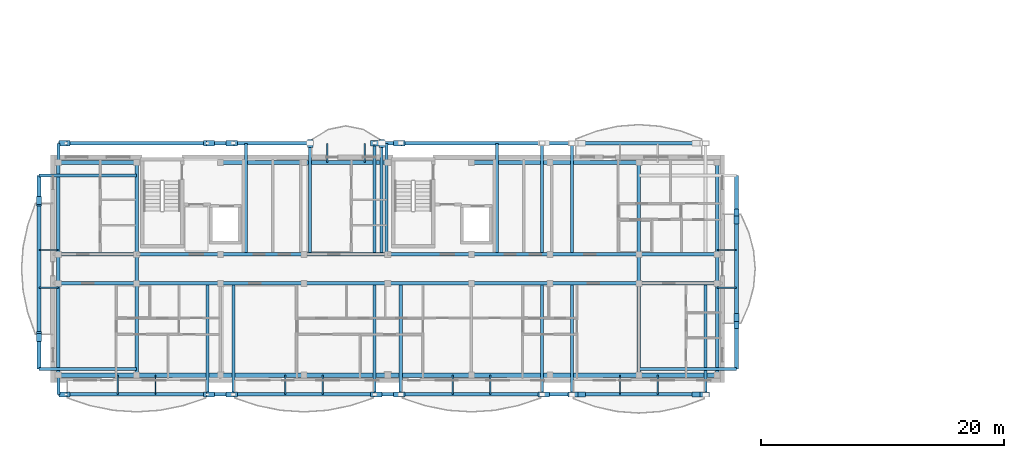
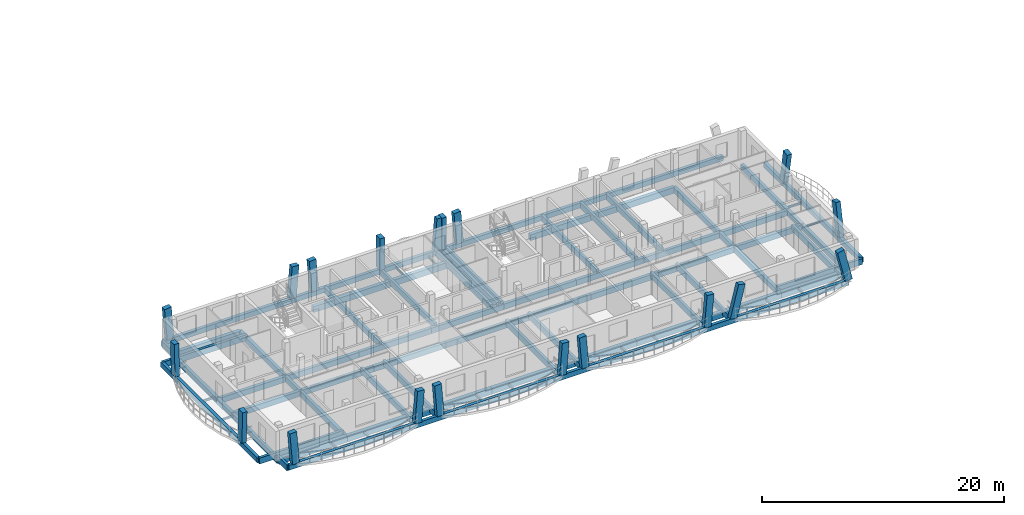
# One storey, part 3 of 48: 79 beams, 19 members.
"""IFC4 building model written with IfcOpenShell, lengths in metres."""

from ifc_helpers import new_model, si_unit, direction, frame, origin, origin_2d, place, context, subcontext, project, spatial, rectangle, i_section, extrude, material, material_profile, profile_set, type_object, element, save


model = new_model("IFC4")

# Units and contexts
model_context = context("Model", 3, precision=1e-05, world=origin(), true_north=direction((0.0, 1.0)))
body_context = subcontext(model_context, "Body", "Model", "MODEL_VIEW")
ifc_project = project(units=[si_unit("LENGTHUNIT", "METRE"), si_unit("AREAUNIT", "SQUARE_METRE"), si_unit("VOLUMEUNIT", "CUBIC_METRE"), si_unit("PLANEANGLEUNIT", "RADIAN"), si_unit("MASSUNIT", "GRAM", prefix="KILO")], contexts=[model_context])

# Site, building, storey
site_placement = place(None, origin())
site = spatial("IfcSite", under=ifc_project, at=site_placement, CompositionType="ELEMENT")
building_placement = place(site_placement, origin())
building = spatial("IfcBuilding", under=site, at=building_placement, Name="Zavelmont Quarter", CompositionType="ELEMENT")
storey_placement = place(building_placement, frame((0.0, 0.0, 17.60009765625)))
storey = spatial("IfcBuildingStorey", under=building, at=storey_placement, Name="L05", CompositionType="ELEMENT", Elevation=17.60009765625)

# Beams
ifc_material_1 = material(Name="Concrete C35/45", Category="concrete")
ifc_material_profile_1 = material_profile(ifc_material_1, rectangle(XDim=0.35009765625, YDim=0.60009765625, at=origin_2d()), Name="RC350X600")
ifc_profile_set_1 = profile_set([ifc_material_profile_1], Name="Concrete C35/45")
beam_type_1 = type_object("IfcBeamType", Name="BM01", PredefinedType="SPANDREL", material=ifc_profile_set_1)
beam_1_placement = place(storey_placement, frame((0.43994140625, 0.43994140625, -0.56005859375), z_axis=(1.0, 0.0, 0.0), x_axis=(0.0, 1.0, 0.0)))
element("IfcBeam", 1, at=beam_1_placement, inside=storey, type_object=beam_type_1, Name="L05 beam BM01 1/A to 2/A", PredefinedType="SPANDREL", context=body_context, shape_type="SweptSolid", body=[
    extrude(rectangle(XDim=0.35009765625, YDim=0.60009765625, at=origin_2d()), origin(), (0.0, 0.0, 1.0), 6.4599609375),
])
beam_2_placement = place(storey_placement, frame((6.89990234375, 0.43994140625, -0.56005859375), z_axis=(1.0, 0.0, 0.0), x_axis=(0.0, 1.0, 0.0)))
element("IfcBeam", 2, at=beam_2_placement, inside=storey, type_object=beam_type_1, Name="L05 beam BM01 2/A to 3/A", PredefinedType="SPANDREL", context=body_context, shape_type="SweptSolid", body=[
    extrude(rectangle(XDim=0.35009765625, YDim=0.60009765625, at=origin_2d()), origin(), (0.0, 0.0, 1.0), 6.900146484375),
])
beam_3_placement = place(storey_placement, frame((13.800048828125, 0.43994140625, -0.56005859375), z_axis=(1.0, 0.0, 0.0), x_axis=(0.0, 1.0, 0.0)))
element("IfcBeam", 3, at=beam_3_placement, inside=storey, type_object=beam_type_1, Name="L05 beam BM01 3/A to 4/A", PredefinedType="SPANDREL", context=body_context, shape_type="SweptSolid", body=[
    extrude(rectangle(XDim=0.35009765625, YDim=0.60009765625, at=origin_2d()), origin(), (0.0, 0.0, 1.0), 6.89990234375),
])
beam_4_placement = place(storey_placement, frame((20.699951171875, 0.43994140625, -0.56005859375), z_axis=(1.0, 0.0, 0.0), x_axis=(0.0, 1.0, 0.0)))
element("IfcBeam", 4, at=beam_4_placement, inside=storey, type_object=beam_type_1, Name="L05 beam BM01 4/A to 5/A", PredefinedType="SPANDREL", context=body_context, shape_type="SweptSolid", body=[
    extrude(rectangle(XDim=0.35009765625, YDim=0.60009765625, at=origin_2d()), origin(), (0.0, 0.0, 1.0), 6.900146484375),
])
beam_5_placement = place(storey_placement, frame((27.60009765625, 0.43994140625, -0.56005859375), z_axis=(1.0, 0.0, 0.0), x_axis=(0.0, 1.0, 0.0)))
element("IfcBeam", 5, at=beam_5_placement, inside=storey, type_object=beam_type_1, Name="L05 beam BM01 5/A to 6/A", PredefinedType="SPANDREL", context=body_context, shape_type="SweptSolid", body=[
    extrude(rectangle(XDim=0.35009765625, YDim=0.60009765625, at=origin_2d()), origin(), (0.0, 0.0, 1.0), 6.89990234375),
])
beam_6_placement = place(storey_placement, frame((34.5, 0.43994140625, -0.56005859375), z_axis=(1.0, 0.0, 0.0), x_axis=(0.0, 1.0, 0.0)))
element("IfcBeam", 6, at=beam_6_placement, inside=storey, type_object=beam_type_1, Name="L05 beam BM01 6/A to 7/A", PredefinedType="SPANDREL", context=body_context, shape_type="SweptSolid", body=[
    extrude(rectangle(XDim=0.35009765625, YDim=0.60009765625, at=origin_2d()), origin(), (0.0, 0.0, 1.0), 6.4599609375),
])
beam_7_placement = place(storey_placement, frame((40.9599609375, 0.43994140625, -0.56005859375), z_axis=(1.0, 0.0, 0.0), x_axis=(0.0, 1.0, 0.0)))
element("IfcBeam", 7, at=beam_7_placement, inside=storey, type_object=beam_type_1, Name="L05 beam BM01 7/A to 8/A", PredefinedType="SPANDREL", context=body_context, shape_type="SweptSolid", body=[
    extrude(rectangle(XDim=0.35009765625, YDim=0.60009765625, at=origin_2d()), origin(), (0.0, 0.0, 1.0), 7.340087890625),
])
for number, where, z_axis, x_axis, name in (
    (8, (48.300048828125, 0.43994140625, -0.56005859375), (1.0, 0.0, 0.0), (0.0, 1.0, 0.0), "L05 beam BM01 8/A to 9/A"),
    (9, (0.43994140625, 17.9599609375, -0.56005859375), (1.0, 0.0, 0.0), (0.0, 1.0, 0.0), "L05 beam BM01 1/D to 2/D"),
):
    element("IfcBeam", number, at=place(storey_placement, frame(where, z_axis=z_axis, x_axis=x_axis)), inside=storey, type_object=beam_type_1, Name=name, PredefinedType="SPANDREL", context=body_context, shape_type="SweptSolid", body=[
        extrude(rectangle(XDim=0.35009765625, YDim=0.60009765625, at=origin_2d()), origin(), (0.0, 0.0, 1.0), 6.4599609375),
    ])
beam_8_placement = place(storey_placement, frame((13.800048828125, 17.9599609375, -0.56005859375), z_axis=(1.0, 0.0, 0.0), x_axis=(0.0, 1.0, 0.0)))
element("IfcBeam", 10, at=beam_8_placement, inside=storey, type_object=beam_type_1, Name="L05 beam BM01 3/D to 4/D", PredefinedType="SPANDREL", context=body_context, shape_type="SweptSolid", body=[
    extrude(rectangle(XDim=0.35009765625, YDim=0.60009765625, at=origin_2d()), origin(), (0.0, 0.0, 1.0), 6.89990234375),
])
beam_9_placement = place(storey_placement, frame((20.699951171875, 17.9599609375, -0.56005859375), z_axis=(1.0, 0.0, 0.0), x_axis=(0.0, 1.0, 0.0)))
element("IfcBeam", 11, at=beam_9_placement, inside=storey, type_object=beam_type_1, Name="L05 beam BM01 4/D to 5/D", PredefinedType="SPANDREL", context=body_context, shape_type="SweptSolid", body=[
    extrude(rectangle(XDim=0.35009765625, YDim=0.60009765625, at=origin_2d()), origin(), (0.0, 0.0, 1.0), 6.900146484375),
])
beam_10_placement = place(storey_placement, frame((34.5, 17.9599609375, -0.56005859375), z_axis=(1.0, 0.0, 0.0), x_axis=(0.0, 1.0, 0.0)))
element("IfcBeam", 12, at=beam_10_placement, inside=storey, type_object=beam_type_1, Name="L05 beam BM01 6/D to 7/D", PredefinedType="SPANDREL", context=body_context, shape_type="SweptSolid", body=[
    extrude(rectangle(XDim=0.35009765625, YDim=0.60009765625, at=origin_2d()), origin(), (0.0, 0.0, 1.0), 6.4599609375),
])
beam_11_placement = place(storey_placement, frame((40.9599609375, 17.9599609375, -0.56005859375), z_axis=(1.0, 0.0, 0.0), x_axis=(0.0, 1.0, 0.0)))
element("IfcBeam", 13, at=beam_11_placement, inside=storey, type_object=beam_type_1, Name="L05 beam BM01 7/D to 8/D", PredefinedType="SPANDREL", context=body_context, shape_type="SweptSolid", body=[
    extrude(rectangle(XDim=0.35009765625, YDim=0.60009765625, at=origin_2d()), origin(), (0.0, 0.0, 1.0), 7.340087890625),
])
ifc_material_profile_2 = material_profile(ifc_material_1, rectangle(XDim=0.300048828125, YDim=0.550048828125, at=origin_2d()), Name="RC300X550")
ifc_profile_set_2 = profile_set([ifc_material_profile_2], Name="Concrete C35/45")
beam_type_2 = type_object("IfcBeamType", Name="BM02", PredefinedType="SPANDREL", material=ifc_profile_set_2)
beam_12_placement = place(storey_placement, frame((0.43994140625, 8.0, -0.53515625), z_axis=(1.0, 0.0, 0.0), x_axis=(0.0, 1.0, 0.0)))
element("IfcBeam", 14, at=beam_12_placement, inside=storey, type_object=beam_type_2, Name="L05 beam BM02 1/B to 2/B", PredefinedType="SPANDREL", context=body_context, shape_type="SweptSolid", body=[
    extrude(rectangle(XDim=0.300048828125, YDim=0.550048828125, at=origin_2d()), origin(), (0.0, 0.0, 1.0), 6.4599609375),
])
beam_13_placement = place(storey_placement, frame((6.89990234375, 8.0, -0.53515625), z_axis=(1.0, 0.0, 0.0), x_axis=(0.0, 1.0, 0.0)))
element("IfcBeam", 15, at=beam_13_placement, inside=storey, type_object=beam_type_2, Name="L05 beam BM02 2/B to 3/B", PredefinedType="SPANDREL", context=body_context, shape_type="SweptSolid", body=[
    extrude(rectangle(XDim=0.300048828125, YDim=0.550048828125, at=origin_2d()), origin(), (0.0, 0.0, 1.0), 6.900146484375),
])
beam_14_placement = place(storey_placement, frame((13.800048828125, 8.0, -0.53515625), z_axis=(1.0, 0.0, 0.0), x_axis=(0.0, 1.0, 0.0)))
element("IfcBeam", 16, at=beam_14_placement, inside=storey, type_object=beam_type_2, Name="L05 beam BM02 3/B to 4/B", PredefinedType="SPANDREL", context=body_context, shape_type="SweptSolid", body=[
    extrude(rectangle(XDim=0.300048828125, YDim=0.550048828125, at=origin_2d()), origin(), (0.0, 0.0, 1.0), 6.89990234375),
])
beam_15_placement = place(storey_placement, frame((20.699951171875, 8.0, -0.53515625), z_axis=(1.0, 0.0, 0.0), x_axis=(0.0, 1.0, 0.0)))
element("IfcBeam", 17, at=beam_15_placement, inside=storey, type_object=beam_type_2, Name="L05 beam BM02 4/B to 5/B", PredefinedType="SPANDREL", context=body_context, shape_type="SweptSolid", body=[
    extrude(rectangle(XDim=0.300048828125, YDim=0.550048828125, at=origin_2d()), origin(), (0.0, 0.0, 1.0), 6.900146484375),
])
beam_16_placement = place(storey_placement, frame((27.60009765625, 8.0, -0.53515625), z_axis=(1.0, 0.0, 0.0), x_axis=(0.0, 1.0, 0.0)))
element("IfcBeam", 18, at=beam_16_placement, inside=storey, type_object=beam_type_2, Name="L05 beam BM02 5/B to 6/B", PredefinedType="SPANDREL", context=body_context, shape_type="SweptSolid", body=[
    extrude(rectangle(XDim=0.300048828125, YDim=0.550048828125, at=origin_2d()), origin(), (0.0, 0.0, 1.0), 6.89990234375),
])
beam_17_placement = place(storey_placement, frame((34.5, 8.0, -0.53515625), z_axis=(1.0, 0.0, 0.0), x_axis=(0.0, 1.0, 0.0)))
element("IfcBeam", 19, at=beam_17_placement, inside=storey, type_object=beam_type_2, Name="L05 beam BM02 6/B to 7/B", PredefinedType="SPANDREL", context=body_context, shape_type="SweptSolid", body=[
    extrude(rectangle(XDim=0.300048828125, YDim=0.550048828125, at=origin_2d()), origin(), (0.0, 0.0, 1.0), 6.4599609375),
])
beam_18_placement = place(storey_placement, frame((40.9599609375, 8.0, -0.53515625), z_axis=(1.0, 0.0, 0.0), x_axis=(0.0, 1.0, 0.0)))
element("IfcBeam", 20, at=beam_18_placement, inside=storey, type_object=beam_type_2, Name="L05 beam BM02 7/B to 8/B", PredefinedType="SPANDREL", context=body_context, shape_type="SweptSolid", body=[
    extrude(rectangle(XDim=0.300048828125, YDim=0.550048828125, at=origin_2d()), origin(), (0.0, 0.0, 1.0), 7.340087890625),
])
for number, where, z_axis, x_axis, name in (
    (21, (48.300048828125, 8.0, -0.53515625), (1.0, 0.0, 0.0), (0.0, 1.0, 0.0), "L05 beam BM02 8/B to 9/B"),
    (22, (0.43994140625, 10.39990234375, -0.53515625), (1.0, 0.0, 0.0), (0.0, 1.0, 0.0), "L05 beam BM02 1/C to 2/C"),
):
    element("IfcBeam", number, at=place(storey_placement, frame(where, z_axis=z_axis, x_axis=x_axis)), inside=storey, type_object=beam_type_2, Name=name, PredefinedType="SPANDREL", context=body_context, shape_type="SweptSolid", body=[
        extrude(rectangle(XDim=0.300048828125, YDim=0.550048828125, at=origin_2d()), origin(), (0.0, 0.0, 1.0), 6.4599609375),
    ])
beam_19_placement = place(storey_placement, frame((6.89990234375, 10.39990234375, -0.53515625), z_axis=(1.0, 0.0, 0.0), x_axis=(0.0, 1.0, 0.0)))
element("IfcBeam", 23, at=beam_19_placement, inside=storey, type_object=beam_type_2, Name="L05 beam BM02 2/C to 3/C", PredefinedType="SPANDREL", context=body_context, shape_type="SweptSolid", body=[
    extrude(rectangle(XDim=0.300048828125, YDim=0.550048828125, at=origin_2d()), origin(), (0.0, 0.0, 1.0), 6.900146484375),
])
beam_20_placement = place(storey_placement, frame((13.800048828125, 10.39990234375, -0.53515625), z_axis=(1.0, 0.0, 0.0), x_axis=(0.0, 1.0, 0.0)))
element("IfcBeam", 24, at=beam_20_placement, inside=storey, type_object=beam_type_2, Name="L05 beam BM02 3/C to 4/C", PredefinedType="SPANDREL", context=body_context, shape_type="SweptSolid", body=[
    extrude(rectangle(XDim=0.300048828125, YDim=0.550048828125, at=origin_2d()), origin(), (0.0, 0.0, 1.0), 6.89990234375),
])
beam_21_placement = place(storey_placement, frame((20.699951171875, 10.39990234375, -0.53515625), z_axis=(1.0, 0.0, 0.0), x_axis=(0.0, 1.0, 0.0)))
element("IfcBeam", 25, at=beam_21_placement, inside=storey, type_object=beam_type_2, Name="L05 beam BM02 4/C to 5/C", PredefinedType="SPANDREL", context=body_context, shape_type="SweptSolid", body=[
    extrude(rectangle(XDim=0.300048828125, YDim=0.550048828125, at=origin_2d()), origin(), (0.0, 0.0, 1.0), 6.900146484375),
])
beam_22_placement = place(storey_placement, frame((27.60009765625, 10.39990234375, -0.53515625), z_axis=(1.0, 0.0, 0.0), x_axis=(0.0, 1.0, 0.0)))
element("IfcBeam", 26, at=beam_22_placement, inside=storey, type_object=beam_type_2, Name="L05 beam BM02 5/C to 6/C", PredefinedType="SPANDREL", context=body_context, shape_type="SweptSolid", body=[
    extrude(rectangle(XDim=0.300048828125, YDim=0.550048828125, at=origin_2d()), origin(), (0.0, 0.0, 1.0), 6.89990234375),
])
beam_23_placement = place(storey_placement, frame((34.5, 10.39990234375, -0.53515625), z_axis=(1.0, 0.0, 0.0), x_axis=(0.0, 1.0, 0.0)))
element("IfcBeam", 27, at=beam_23_placement, inside=storey, type_object=beam_type_2, Name="L05 beam BM02 6/C to 7/C", PredefinedType="SPANDREL", context=body_context, shape_type="SweptSolid", body=[
    extrude(rectangle(XDim=0.300048828125, YDim=0.550048828125, at=origin_2d()), origin(), (0.0, 0.0, 1.0), 6.4599609375),
])
beam_24_placement = place(storey_placement, frame((40.9599609375, 10.39990234375, -0.53515625), z_axis=(1.0, 0.0, 0.0), x_axis=(0.0, 1.0, 0.0)))
element("IfcBeam", 28, at=beam_24_placement, inside=storey, type_object=beam_type_2, Name="L05 beam BM02 7/C to 8/C", PredefinedType="SPANDREL", context=body_context, shape_type="SweptSolid", body=[
    extrude(rectangle(XDim=0.300048828125, YDim=0.550048828125, at=origin_2d()), origin(), (0.0, 0.0, 1.0), 7.340087890625),
])
beam_25_placement = place(storey_placement, frame((48.300048828125, 10.39990234375, -0.53515625), z_axis=(1.0, 0.0, 0.0), x_axis=(0.0, 1.0, 0.0)))
element("IfcBeam", 29, at=beam_25_placement, inside=storey, type_object=beam_type_2, Name="L05 beam BM02 8/C to 9/C", PredefinedType="SPANDREL", context=body_context, shape_type="SweptSolid", body=[
    extrude(rectangle(XDim=0.300048828125, YDim=0.550048828125, at=origin_2d()), origin(), (0.0, 0.0, 1.0), 6.4599609375),
])
beam_26_placement = place(storey_placement, frame((0.43994140625, 0.43994140625, -0.53515625), z_axis=(0.0, 1.0, 0.0), x_axis=(-1.0, 0.0, 0.0)))
element("IfcBeam", 30, at=beam_26_placement, inside=storey, type_object=beam_type_2, Name="L05 beam BM02 1/A to 1/B", PredefinedType="SPANDREL", context=body_context, shape_type="SweptSolid", body=[
    extrude(rectangle(XDim=0.300048828125, YDim=0.550048828125, at=origin_2d()), origin(), (0.0, 0.0, 1.0), 7.56005859375),
])
beam_27_placement = place(storey_placement, frame((0.43994140625, 8.0, -0.53515625), z_axis=(0.0, 1.0, 0.0), x_axis=(-1.0, 0.0, 0.0)))
element("IfcBeam", 31, at=beam_27_placement, inside=storey, type_object=beam_type_2, Name="L05 beam BM02 1/B to 1/C", PredefinedType="SPANDREL", context=body_context, shape_type="SweptSolid", body=[
    extrude(rectangle(XDim=0.300048828125, YDim=0.550048828125, at=origin_2d()), origin(), (0.0, 0.0, 1.0), 2.39990234375),
])
for number, where, z_axis, x_axis, name in (
    (32, (0.43994140625, 10.39990234375, -0.53515625), (0.0, 1.0, 0.0), (-1.0, 0.0, 0.0), "L05 beam BM02 1/C to 1/D"),
    (33, (6.89990234375, 0.43994140625, -0.53515625), (0.0, 1.0, 0.0), (-1.0, 0.0, 0.0), "L05 beam BM02 2/A to 2/B"),
):
    element("IfcBeam", number, at=place(storey_placement, frame(where, z_axis=z_axis, x_axis=x_axis)), inside=storey, type_object=beam_type_2, Name=name, PredefinedType="SPANDREL", context=body_context, shape_type="SweptSolid", body=[
        extrude(rectangle(XDim=0.300048828125, YDim=0.550048828125, at=origin_2d()), origin(), (0.0, 0.0, 1.0), 7.56005859375),
    ])
beam_28_placement = place(storey_placement, frame((6.89990234375, 8.0, -0.53515625), z_axis=(0.0, 1.0, 0.0), x_axis=(-1.0, 0.0, 0.0)))
element("IfcBeam", 34, at=beam_28_placement, inside=storey, type_object=beam_type_2, Name="L05 beam BM02 2/B to 2/C", PredefinedType="SPANDREL", context=body_context, shape_type="SweptSolid", body=[
    extrude(rectangle(XDim=0.300048828125, YDim=0.550048828125, at=origin_2d()), origin(), (0.0, 0.0, 1.0), 2.39990234375),
])
for number, where, z_axis, x_axis, name in (
    (35, (6.89990234375, 10.39990234375, -0.53515625), (0.0, 1.0, 0.0), (-1.0, 0.0, 0.0), "L05 beam BM02 2/C to 2/D"),
    (36, (48.300048828125, 0.43994140625, -0.53515625), (0.0, 1.0, 0.0), (-1.0, 0.0, 0.0), "L05 beam BM02 8/A to 8/B"),
):
    element("IfcBeam", number, at=place(storey_placement, frame(where, z_axis=z_axis, x_axis=x_axis)), inside=storey, type_object=beam_type_2, Name=name, PredefinedType="SPANDREL", context=body_context, shape_type="SweptSolid", body=[
        extrude(rectangle(XDim=0.300048828125, YDim=0.550048828125, at=origin_2d()), origin(), (0.0, 0.0, 1.0), 7.56005859375),
    ])
beam_29_placement = place(storey_placement, frame((48.300048828125, 8.0, -0.53515625), z_axis=(0.0, 1.0, 0.0), x_axis=(-1.0, 0.0, 0.0)))
element("IfcBeam", 37, at=beam_29_placement, inside=storey, type_object=beam_type_2, Name="L05 beam BM02 8/B to 8/C", PredefinedType="SPANDREL", context=body_context, shape_type="SweptSolid", body=[
    extrude(rectangle(XDim=0.300048828125, YDim=0.550048828125, at=origin_2d()), origin(), (0.0, 0.0, 1.0), 2.39990234375),
])
for number, where, z_axis, x_axis, name in (
    (38, (48.300048828125, 10.39990234375, -0.53515625), (0.0, 1.0, 0.0), (-1.0, 0.0, 0.0), "L05 beam BM02 8/C to 8/D"),
    (39, (54.760009765625, 0.43994140625, -0.53515625), (0.0, 1.0, 0.0), (-1.0, 0.0, 0.0), "L05 beam BM02 9/A to 9/B"),
):
    element("IfcBeam", number, at=place(storey_placement, frame(where, z_axis=z_axis, x_axis=x_axis)), inside=storey, type_object=beam_type_2, Name=name, PredefinedType="SPANDREL", context=body_context, shape_type="SweptSolid", body=[
        extrude(rectangle(XDim=0.300048828125, YDim=0.550048828125, at=origin_2d()), origin(), (0.0, 0.0, 1.0), 7.56005859375),
    ])
beam_30_placement = place(storey_placement, frame((54.760009765625, 8.0, -0.53515625), z_axis=(0.0, 1.0, 0.0), x_axis=(-1.0, 0.0, 0.0)))
element("IfcBeam", 40, at=beam_30_placement, inside=storey, type_object=beam_type_2, Name="L05 beam BM02 9/B to 9/C", PredefinedType="SPANDREL", context=body_context, shape_type="SweptSolid", body=[
    extrude(rectangle(XDim=0.300048828125, YDim=0.550048828125, at=origin_2d()), origin(), (0.0, 0.0, 1.0), 2.39990234375),
])
beam_31_placement = place(storey_placement, frame((54.760009765625, 10.39990234375, -0.53515625), z_axis=(0.0, 1.0, 0.0), x_axis=(-1.0, 0.0, 0.0)))
element("IfcBeam", 41, at=beam_31_placement, inside=storey, type_object=beam_type_2, Name="L05 beam BM02 9/C to 9/D", PredefinedType="SPANDREL", context=body_context, shape_type="SweptSolid", body=[
    extrude(rectangle(XDim=0.300048828125, YDim=0.550048828125, at=origin_2d()), origin(), (0.0, 0.0, 1.0), 7.56005859375),
])
ifc_material_profile_3 = material_profile(ifc_material_1, rectangle(XDim=0.300048828125, YDim=0.5, at=origin_2d()), Name="RC300X500")
ifc_profile_set_3 = profile_set([ifc_material_profile_3], Name="Concrete C35/45")
beam_type_3 = type_object("IfcBeamType", Name="BM03", PredefinedType="BEAM", material=ifc_profile_set_3)
for number, where, z_axis, x_axis, name in (
    (42, (0.43994140625, -1.14990234375, -0.25), (1.0, 0.0, 0.0), (0.0, 1.0, 0.0), "L05 beam BM03 1/A to 9/A"),
    (43, (0.43994140625, 19.550048828125, -0.25), (1.0, 0.0, 0.0), (0.0, 1.0, 0.0), "L05 beam BM03 1/D to 9/D"),
):
    element("IfcBeam", number, at=place(storey_placement, frame(where, z_axis=z_axis, x_axis=x_axis)), inside=storey, type_object=beam_type_3, Name=name, PredefinedType="BEAM", context=body_context, shape_type="SweptSolid", body=[
        extrude(rectangle(XDim=0.300048828125, YDim=0.5, at=origin_2d()), origin(), (0.0, 0.0, 1.0), 53.366943359375),
    ])
for number, where, z_axis, x_axis, name in (
    (44, (-1.14990234375, 0.949951171875, -0.25), (0.0, 1.0, 0.0), (-1.0, 0.0, 0.0), "L05 beam BM03 1/A to 1/D"),
    (45, (56.35009765625, 0.949951171875, -0.25), (0.0, 1.0, 0.0), (-1.0, 0.0, 0.0), "L05 beam BM03 9/A to 9/D"),
):
    element("IfcBeam", number, at=place(storey_placement, frame(where, z_axis=z_axis, x_axis=x_axis)), inside=storey, type_object=beam_type_3, Name=name, PredefinedType="BEAM", context=body_context, shape_type="SweptSolid", body=[
        extrude(rectangle(XDim=0.300048828125, YDim=0.5, at=origin_2d()), origin(), (0.0, 0.0, 1.0), 15.949951171875),
    ])
ifc_material_2 = material(Name="Steel S355", Category="steel")
ifc_material_profile_4 = material_profile(ifc_material_2, i_section(OverallWidth=0.110107421875, OverallDepth=0.219970703125, WebThickness=0.005859375, FlangeThickness=0.00927734375, at=origin_2d()), Name="IPE 220")
ifc_profile_set_4 = profile_set([ifc_material_profile_4], Name="Steel S355")
beam_type_4 = type_object("IfcBeamType", Name="BM15", PredefinedType="JOIST", material=ifc_profile_set_4)
for number, where, z_axis, x_axis, name in (
    (46, (5.35009765625, 0.43994140625, -0.3720703125), (0.0, -1.0, 0.0), (1.0, 0.0, 0.0), "L05 beam BM15 2/A to 2/A"),
    (47, (8.449951171875, 0.43994140625, -0.3720703125), (0.0, -1.0, 0.0), (1.0, 0.0, 0.0), "L05 beam BM15 2/A to 2/A"),
    (48, (19.14990234375, 0.43994140625, -0.3720703125), (0.0, -1.0, 0.0), (1.0, 0.0, 0.0), "L05 beam BM15 4/A to 4/A"),
    (49, (22.25, 0.43994140625, -0.3720703125), (0.0, -1.0, 0.0), (1.0, 0.0, 0.0), "L05 beam BM15 4/A to 4/A"),
    (50, (32.949951171875, 0.43994140625, -0.3720703125), (0.0, -1.0, 0.0), (1.0, 0.0, 0.0), "L05 beam BM15 6/A to 6/A"),
    (51, (36.050048828125, 0.43994140625, -0.3720703125), (0.0, -1.0, 0.0), (1.0, 0.0, 0.0), "L05 beam BM15 6/A to 6/A"),
    (52, (46.75, 0.43994140625, -0.3720703125), (0.0, -1.0, 0.0), (1.0, 0.0, 0.0), "L05 beam BM15 8/A to 8/A"),
    (53, (49.85009765625, 0.43994140625, -0.3720703125), (0.0, -1.0, 0.0), (1.0, 0.0, 0.0), "L05 beam BM15 8/A to 8/A"),
    (54, (0.43994140625, 7.64990234375, -0.3720703125), (-1.0, 0.0, 0.0), (0.0, -1.0, 0.0), "L05 beam BM15 1/B to 1/B"),
    (55, (0.43994140625, 10.75, -0.3720703125), (-1.0, 0.0, 0.0), (0.0, -1.0, 0.0), "L05 beam BM15 1/C to 1/C"),
):
    element("IfcBeam", number, at=place(storey_placement, frame(where, z_axis=z_axis, x_axis=x_axis)), inside=storey, type_object=beam_type_4, Name=name, PredefinedType="JOIST", context=body_context, shape_type="SweptSolid", body=[
        extrude(i_section(OverallWidth=0.110107421875, OverallDepth=0.219970703125, WebThickness=0.005859375, FlangeThickness=0.00927734375, at=origin_2d()), origin(), (0.0, 0.0, 1.0), 1.58984375),
    ])
for number, where, z_axis, x_axis, name in (
    (56, (54.760009765625, 7.64990234375, -0.3720703125), (1.0, 0.0, 0.0), (0.0, 1.0, 0.0), "L05 beam BM15 9/B to 9/B"),
    (57, (54.760009765625, 10.75, -0.3720703125), (1.0, 0.0, 0.0), (0.0, 1.0, 0.0), "L05 beam BM15 9/C to 9/C"),
    (58, (22.60009765625, 17.9599609375, -0.3720703125), (0.0, 1.0, 0.0), (-1.0, 0.0, 0.0), "L05 beam BM15 4/D to 4/D"),
    (59, (25.699951171875, 17.9599609375, -0.3720703125), (0.0, 1.0, 0.0), (-1.0, 0.0, 0.0), "L05 beam BM15 5/D to 5/D"),
):
    element("IfcBeam", number, at=place(storey_placement, frame(where, z_axis=z_axis, x_axis=x_axis)), inside=storey, type_object=beam_type_4, Name=name, PredefinedType="JOIST", context=body_context, shape_type="SweptSolid", body=[
        extrude(i_section(OverallWidth=0.110107421875, OverallDepth=0.219970703125, WebThickness=0.005859375, FlangeThickness=0.00927734375, at=origin_2d()), origin(), (0.0, 0.0, 1.0), 1.590087890625),
    ])
ifc_material_3 = material(Name="Concrete C40/50", Category="concrete")
ifc_material_profile_5 = material_profile(ifc_material_3, rectangle(XDim=0.25, YDim=0.60009765625, at=origin_2d()), Name="RC250X600")
ifc_profile_set_5 = profile_set([ifc_material_profile_5], Name="Concrete C40/50")
beam_type_5 = type_object("IfcBeamType", Name="BM18", PredefinedType="BEAM", material=ifc_profile_set_5)
beam_32_placement = place(storey_placement, frame((0.43994140625, 0.43994140625, -0.300048828125), z_axis=(0.0, -1.0, 0.0), x_axis=(1.0, 0.0, 0.0)))
element("IfcBeam", 60, at=beam_32_placement, inside=storey, type_object=beam_type_5, Name="L05 beam BM18 1/A to 1/A", PredefinedType="BEAM", context=body_context, shape_type="SweptSolid", body=[
    extrude(rectangle(XDim=0.25, YDim=0.60009765625, at=origin_2d()), origin(), (0.0, 0.0, 1.0), 1.58984375),
])
for number, where, z_axis, x_axis, name in (
    (61, (12.72705078125, 8.0, -0.300048828125), (0.0, -1.0, 0.0), (1.0, 0.0, 0.0), "L05 beam BM18 3/B to 3/A"),
    (62, (14.873046875, 8.0, -0.300048828125), (0.0, -1.0, 0.0), (1.0, 0.0, 0.0), "L05 beam BM18 3/B to 3/A"),
    (63, (26.527099609375, 8.0, -0.300048828125), (0.0, -1.0, 0.0), (1.0, 0.0, 0.0), "L05 beam BM18 5/B to 5/A"),
    (64, (28.673095703125, 8.0, -0.300048828125), (0.0, -1.0, 0.0), (1.0, 0.0, 0.0), "L05 beam BM18 5/B to 5/A"),
    (65, (40.326904296875, 8.0, -0.300048828125), (0.0, -1.0, 0.0), (1.0, 0.0, 0.0), "L05 beam BM18 7/B to 7/A"),
    (66, (42.79296875, 8.0, -0.300048828125), (0.0, -1.0, 0.0), (1.0, 0.0, 0.0), "L05 beam BM18 7/B to 7/A"),
    (67, (53.806884765625, 8.0, -0.300048828125), (0.0, -1.0, 0.0), (1.0, 0.0, 0.0), "L05 beam BM18 9/B to 9/A"),
):
    element("IfcBeam", number, at=place(storey_placement, frame(where, z_axis=z_axis, x_axis=x_axis)), inside=storey, type_object=beam_type_5, Name=name, PredefinedType="BEAM", context=body_context, shape_type="SweptSolid", body=[
        extrude(rectangle(XDim=0.25, YDim=0.60009765625, at=origin_2d()), origin(), (0.0, 0.0, 1.0), 9.14990234375),
    ])
beam_33_placement = place(storey_placement, frame((0.43994140625, 17.9599609375, -0.300048828125), z_axis=(0.0, 1.0, 0.0), x_axis=(-1.0, 0.0, 0.0)))
element("IfcBeam", 68, at=beam_33_placement, inside=storey, type_object=beam_type_5, Name="L05 beam BM18 1/D to 1/D", PredefinedType="BEAM", context=body_context, shape_type="SweptSolid", body=[
    extrude(rectangle(XDim=0.25, YDim=0.60009765625, at=origin_2d()), origin(), (0.0, 0.0, 1.0), 1.590087890625),
])
for number, where, z_axis, x_axis, name in (
    (69, (15.925048828125, 10.39990234375, -0.300048828125), (0.0, 1.0, 0.0), (-1.0, 0.0, 0.0), "L05 beam BM18 3/C to 3/D"),
    (70, (26.527099609375, 10.39990234375, -0.300048828125), (0.0, 1.0, 0.0), (-1.0, 0.0, 0.0), "L05 beam BM18 5/C to 5/D"),
    (71, (27.5, 10.39990234375, -0.300048828125), (0.0, 1.0, 0.0), (-1.0, 0.0, 0.0), "L05 beam BM18 5/C to 5/D"),
    (72, (36.625, 10.39990234375, -0.300048828125), (0.0, 1.0, 0.0), (-1.0, 0.0, 0.0), "L05 beam BM18 6/C to 6/D"),
    (73, (40.326904296875, 10.39990234375, -0.300048828125), (0.0, 1.0, 0.0), (-1.0, 0.0, 0.0), "L05 beam BM18 7/C to 7/D"),
    (74, (42.79296875, 10.39990234375, -0.300048828125), (0.0, 1.0, 0.0), (-1.0, 0.0, 0.0), "L05 beam BM18 7/C to 7/D"),
    (75, (21.199951171875, 10.39990234375, -0.300048828125), (0.0, 1.0, 0.0), (-1.0, 0.0, 0.0), "L05 beam BM18 4/C to 4/D"),
    (76, (27.10009765625, 10.39990234375, -0.300048828125), (0.0, 1.0, 0.0), (-1.0, 0.0, 0.0), "L05 beam BM18 5/C to 5/D"),
):
    element("IfcBeam", number, at=place(storey_placement, frame(where, z_axis=z_axis, x_axis=x_axis)), inside=storey, type_object=beam_type_5, Name=name, PredefinedType="BEAM", context=body_context, shape_type="SweptSolid", body=[
        extrude(rectangle(XDim=0.25, YDim=0.60009765625, at=origin_2d()), origin(), (0.0, 0.0, 1.0), 9.150146484375),
    ])
for number, where, z_axis, x_axis, name in (
    (77, (6.89990234375, 0.949951171875, -0.300048828125), (-1.0, 0.0, 0.0), (0.0, -1.0, 0.0), "L05 beam BM18 2/A to 1/A"),
    (78, (6.89990234375, 16.89990234375, -0.300048828125), (-1.0, 0.0, 0.0), (0.0, -1.0, 0.0), "L05 beam BM18 2/D to 1/D"),
):
    element("IfcBeam", number, at=place(storey_placement, frame(where, z_axis=z_axis, x_axis=x_axis)), inside=storey, type_object=beam_type_5, Name=name, PredefinedType="BEAM", context=body_context, shape_type="SweptSolid", body=[
        extrude(rectangle(XDim=0.25, YDim=0.60009765625, at=origin_2d()), origin(), (0.0, 0.0, 1.0), 8.0498046875),
    ])
beam_34_placement = place(storey_placement, frame((48.300048828125, 0.949951171875, -0.300048828125), z_axis=(1.0, 0.0, 0.0), x_axis=(0.0, 1.0, 0.0)))
element("IfcBeam", 79, at=beam_34_placement, inside=storey, type_object=beam_type_5, Name="L05 beam BM18 8/A to 9/A", PredefinedType="BEAM", context=body_context, shape_type="SweptSolid", body=[
    extrude(rectangle(XDim=0.25, YDim=0.60009765625, at=origin_2d()), origin(), (0.0, 0.0, 1.0), 8.050048828125),
])

# Members
ifc_material_4 = material(Name="White architectural precast concrete C40/50", Category="concrete")
ifc_material_profile_6 = material_profile(ifc_material_4, rectangle(XDim=0.43994140625, YDim=0.659912109375, at=origin_2d()), Name="PCR320X480")
ifc_profile_set_6 = profile_set([ifc_material_profile_6], Name="White architectural precast concrete C40/50")
member_type = type_object("IfcMemberType", Name="VR01M", PredefinedType="CHORD", material=ifc_profile_set_6)
for number, where, z_axis, x_axis, name in (
    (80, (1.072998046875, -1.14990234375, 0.0), (-0.081214012422, 0.0, 0.996696686152), (0.0, -1.0, 0.0), "L05 member VR01M 1/A to 1/A"),
    (81, (12.72705078125, -1.14990234375, 0.0), (0.081214012422, 0.0, 0.996696686152), (0.0, 1.0, 0.0), "L05 member VR01M 3/A to 3/A"),
    (82, (14.873046875, -1.14990234375, 0.0), (-0.081214012422, 0.0, 0.996696686152), (0.0, -1.0, 0.0), "L05 member VR01M 3/A to 3/A"),
    (83, (26.527099609375, -1.14990234375, 0.0), (0.081214012422, 0.0, 0.996696686152), (0.0, 1.0, 0.0), "L05 member VR01M 5/A to 5/A"),
):
    element("IfcMember", number, at=place(storey_placement, frame(where, z_axis=z_axis, x_axis=x_axis)), inside=storey, type_object=member_type, Name=name, PredefinedType="CHORD", context=body_context, shape_type="SweptSolid", body=[
        extrude(rectangle(XDim=0.43994140625, YDim=0.659912109375, at=origin_2d()), origin(), (0.0, 0.0, 1.0), 3.21044921875),
    ])
for number, where, z_axis, x_axis, name in (
    (84, (28.673095703125, -1.14990234375, 0.0), (-0.081289553246, 0.0, 0.996690527964), (0.0, -1.0, 0.0), "L05 member VR01M 5/A to 5/A"),
    (85, (40.326904296875, -1.14990234375, 0.0), (0.081289553246, 0.0, 0.996690527964), (0.0, 1.0, 0.0), "L05 member VR01M 7/A to 7/A"),
):
    element("IfcMember", number, at=place(storey_placement, frame(where, z_axis=z_axis, x_axis=x_axis)), inside=storey, type_object=member_type, Name=name, PredefinedType="CHORD", context=body_context, shape_type="SweptSolid", body=[
        extrude(rectangle(XDim=0.43994140625, YDim=0.659912109375, at=origin_2d()), origin(), (0.0, 0.0, 1.0), 3.210693359375),
    ])
for number, where, z_axis, x_axis, name in (
    (86, (42.79296875, -1.14990234375, 0.0), (0.240321932416, 0.0, 0.970693241349), (0.0, 1.0, 0.0), "L05 member VR01M 7/A to 7/A"),
    (87, (53.806884765625, -1.14990234375, 0.0), (-0.240321932416, 0.0, 0.970693241349), (0.0, -1.0, 0.0), "L05 member VR01M 9/A to 9/A"),
):
    element("IfcMember", number, at=place(storey_placement, frame(where, z_axis=z_axis, x_axis=x_axis)), inside=storey, type_object=member_type, Name=name, PredefinedType="CHORD", context=body_context, shape_type="SweptSolid", body=[
        extrude(rectangle(XDim=0.43994140625, YDim=0.659912109375, at=origin_2d()), origin(), (0.0, 0.0, 1.0), 3.296630859375),
    ])
for number, where, z_axis, x_axis, name in (
    (88, (1.072998046875, 19.550048828125, 0.0), (-0.081214012422, 0.0, 0.996696686152), (0.0, -1.0, 0.0), "L05 member VR01M 1/D to 1/D"),
    (89, (12.72705078125, 19.550048828125, 0.0), (0.081214012422, 0.0, 0.996696686152), (0.0, 1.0, 0.0), "L05 member VR01M 3/D to 3/D"),
    (90, (14.873046875, 19.550048828125, 0.0), (-0.081214012422, 0.0, 0.996696686152), (0.0, -1.0, 0.0), "L05 member VR01M 3/D to 3/D"),
    (91, (26.527099609375, 19.550048828125, 0.0), (0.081214012422, 0.0, 0.996696686152), (0.0, 1.0, 0.0), "L05 member VR01M 5/D to 5/D"),
):
    element("IfcMember", number, at=place(storey_placement, frame(where, z_axis=z_axis, x_axis=x_axis)), inside=storey, type_object=member_type, Name=name, PredefinedType="CHORD", context=body_context, shape_type="SweptSolid", body=[
        extrude(rectangle(XDim=0.43994140625, YDim=0.659912109375, at=origin_2d()), origin(), (0.0, 0.0, 1.0), 3.21044921875),
    ])
member_placement = place(storey_placement, frame((28.673095703125, 19.550048828125, 0.0), z_axis=(-0.081289553246, 0.0, 0.996690527964), x_axis=(0.0, -1.0, 0.0)))
element("IfcMember", 92, at=member_placement, inside=storey, type_object=member_type, Name="L05 member VR01M 5/D to 5/D", PredefinedType="CHORD", context=body_context, shape_type="SweptSolid", body=[
    extrude(rectangle(XDim=0.43994140625, YDim=0.659912109375, at=origin_2d()), origin(), (0.0, 0.0, 1.0), 3.210693359375),
])
for number, where, z_axis, x_axis, name in (
    (93, (21.199951171875, 19.550048828125, 0.0), (0.0, 0.0, 1.0), (1.0, 0.0, 0.0), "L05 member VR01M 4/D to 4/D"),
    (94, (27.10009765625, 19.550048828125, 0.0), (0.0, 0.0, 1.0), (1.0, 0.0, 0.0), "L05 member VR01M 5/D to 5/D"),
):
    element("IfcMember", number, at=place(storey_placement, frame(where, z_axis=z_axis, x_axis=x_axis)), inside=storey, type_object=member_type, Name=name, PredefinedType="CHORD", context=body_context, shape_type="SweptSolid", body=[
        extrude(rectangle(XDim=0.43994140625, YDim=0.659912109375, at=origin_2d()), origin(), (0.0, 0.0, 1.0), 3.199951171875),
    ])
for number, where, z_axis, x_axis, name in (
    (95, (-1.14990234375, 3.69287109375, 0.0), (0.0, -0.044588249631, 0.999005449432), (1.0, 0.0, 0.0), "L05 member VR01M 1/A to 1/A"),
    (96, (-1.14990234375, 14.70703125, 0.0), (0.0, 0.044664316941, 0.999002051445), (-1.0, 0.0, 0.0), "L05 member VR01M 1/D to 1/D"),
):
    element("IfcMember", number, at=place(storey_placement, frame(where, z_axis=z_axis, x_axis=x_axis)), inside=storey, type_object=member_type, Name=name, PredefinedType="CHORD", context=body_context, shape_type="SweptSolid", body=[
        extrude(rectangle(XDim=0.43994140625, YDim=0.659912109375, at=origin_2d()), origin(), (0.0, 0.0, 1.0), 3.203125),
    ])
for number, where, z_axis, x_axis, name in (
    (97, (56.35009765625, 4.58935546875, 0.0), (0.0, 0.180476700994, 0.983579259846), (-1.0, 0.0, 0.0), "L05 member VR01M 9/B to 9/B"),
    (98, (56.35009765625, 13.810546875, 0.0), (0.0, -0.180476700994, 0.983579259846), (1.0, 0.0, 0.0), "L05 member VR01M 9/C to 9/C"),
):
    element("IfcMember", number, at=place(storey_placement, frame(where, z_axis=z_axis, x_axis=x_axis)), inside=storey, type_object=member_type, Name=name, PredefinedType="CHORD", context=body_context, shape_type="SweptSolid", body=[
        extrude(rectangle(XDim=0.43994140625, YDim=0.659912109375, at=origin_2d()), origin(), (0.0, 0.0, 1.0), 3.25341796875),
    ])

save(model, "model.ifc")
